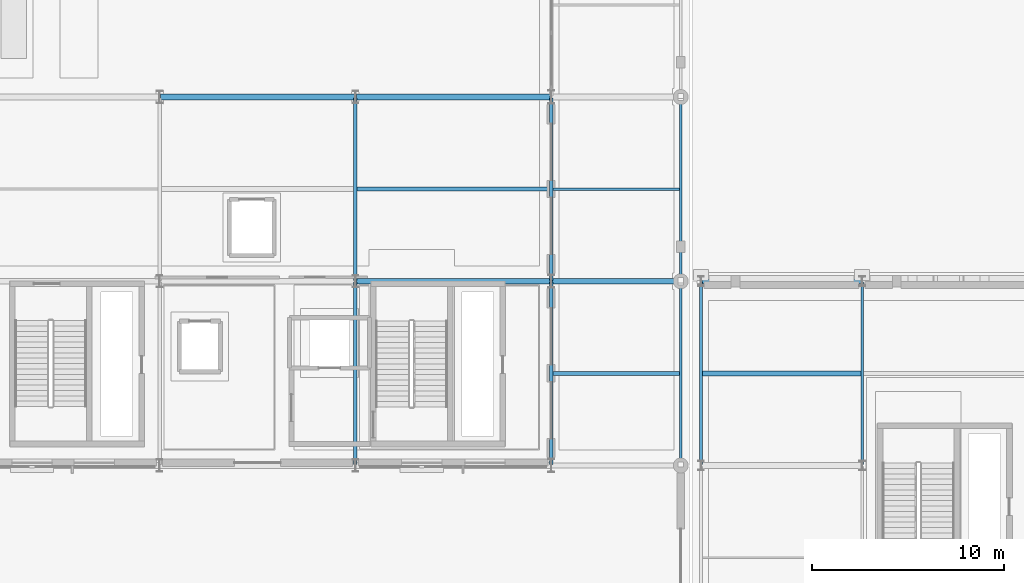
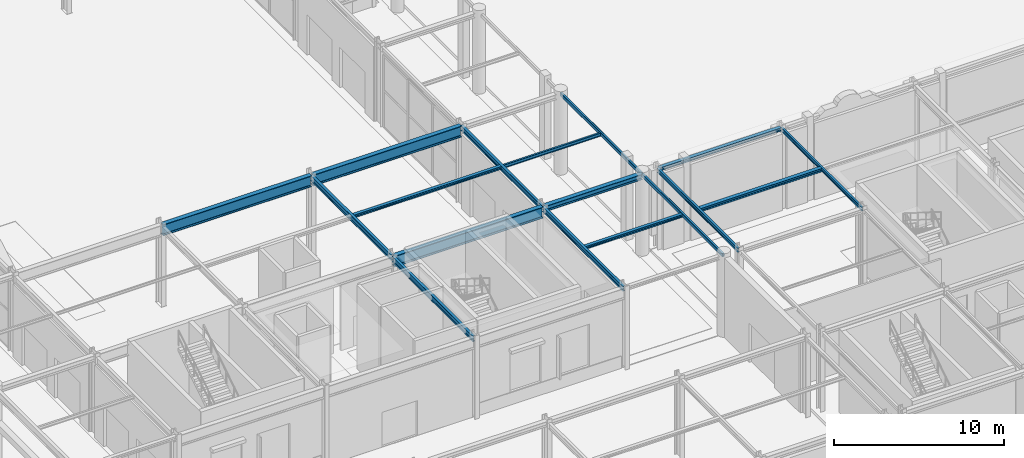
# One storey, part 34 of 113: 17 beams.
"""IFC4 building model written with IfcOpenShell, lengths in metres."""

from ifc_helpers import new_model, si_unit, direction, frame, origin, origin_2d, place, context, subcontext, project, spatial, hollow_rectangle, i_section, extrude, material, material_profile, profile_set, type_object, element, save


model = new_model("IFC4")

# Units and contexts
model_context = context("Model", 3, precision=1e-05, world=origin(), true_north=direction((0.0, 1.0)))
body_context = subcontext(model_context, "Body", "Model", "MODEL_VIEW")
ifc_project = project(units=[si_unit("LENGTHUNIT", "METRE"), si_unit("AREAUNIT", "SQUARE_METRE"), si_unit("VOLUMEUNIT", "CUBIC_METRE"), si_unit("PLANEANGLEUNIT", "RADIAN"), si_unit("MASSUNIT", "GRAM", prefix="KILO")], contexts=[model_context])

# Site, building, storey
site_placement = place(None, origin())
site = spatial("IfcSite", under=ifc_project, at=site_placement, CompositionType="ELEMENT")
building_placement = place(site_placement, origin())
building = spatial("IfcBuilding", under=site, at=building_placement, Name="Myrtia Square Station", CompositionType="ELEMENT")
storey_placement = place(building_placement, origin())
storey = spatial("IfcBuildingStorey", under=building, at=storey_placement, Name="L00", CompositionType="ELEMENT", Elevation=0.0)

# Beams
ifc_material = material(Name="Steel S355", Category="steel")
ifc_material_profile_1 = material_profile(ifc_material, i_section(OverallWidth=0.300048828125, OverallDepth=0.39990234375, WebThickness=0.013427734375, FlangeThickness=0.02392578125, FilletRadius=0.027099609375, at=origin_2d()), Name="HEB 400")
ifc_profile_set_1 = profile_set([ifc_material_profile_1], Name="Steel S355")
beam_type_1 = type_object("IfcBeamType", Name="BM-HEB400", PredefinedType="BEAM", material=ifc_profile_set_1)
beam_1_placement = place(storey_placement, frame((109.85009765625, 38.39990234375, 5.5400390625), z_axis=(1.0, 0.0, 0.0), x_axis=(0.0, 1.0, 0.0)))
element("IfcBeam", 1, at=beam_1_placement, inside=storey, type_object=beam_type_1, Name="Structural girder BMX-L00-0278", PredefinedType="BEAM", context=body_context, shape_type="SweptSolid", body=[
    extrude(i_section(OverallWidth=0.300048828125, OverallDepth=0.39990234375, WebThickness=0.013427734375, FlangeThickness=0.02392578125, FilletRadius=0.027099609375, at=origin_2d()), origin(), (0.0, 0.0, 1.0), 6.64990234375),
])
ifc_material_profile_2 = material_profile(ifc_material, i_section(OverallWidth=0.135009765625, OverallDepth=0.27001953125, WebThickness=0.006591796875, FlangeThickness=0.01025390625, FilletRadius=0.014892578125, at=origin_2d()), Name="IPE 270")
ifc_profile_set_2 = profile_set([ifc_material_profile_2], Name="Steel S355")
beam_type_2 = type_object("IfcBeamType", Name="BM-IPE270", PredefinedType="BEAM", material=ifc_profile_set_2)
beam_2_placement = place(storey_placement, frame((126.0, 28.85009765625, 5.614990234375), z_axis=(0.0, 1.0, 0.0), x_axis=(-1.0, 0.0, 0.0)))
element("IfcBeam", 2, at=beam_2_placement, inside=storey, type_object=beam_type_2, Name="Structural girder BMY-L00-0373", PredefinedType="BEAM", context=body_context, shape_type="SweptSolid", body=[
    extrude(i_section(OverallWidth=0.135009765625, OverallDepth=0.27001953125, WebThickness=0.006591796875, FlangeThickness=0.01025390625, FilletRadius=0.014892578125, at=origin_2d()), origin(), (0.0, 0.0, 1.0), 9.5),
])
ifc_material_profile_3 = material_profile(ifc_material, i_section(OverallWidth=0.14990234375, OverallDepth=0.300048828125, WebThickness=0.007080078125, FlangeThickness=0.0107421875, FilletRadius=0.014892578125, at=origin_2d()), Name="IPE 300")
ifc_profile_set_3 = profile_set([ifc_material_profile_3], Name="Steel S355")
beam_type_3 = type_object("IfcBeamType", Name="BM-IPE300", PredefinedType="BEAM", material=ifc_profile_set_3)
beam_3_placement = place(storey_placement, frame((117.60009765625, 28.85009765625, 5.60009765625), z_axis=(0.0, 1.0, 0.0), x_axis=(-1.0, 0.0, 0.0)))
element("IfcBeam", 3, at=beam_3_placement, inside=storey, type_object=beam_type_3, Name="Structural girder BMY-L00-0369", PredefinedType="BEAM", context=body_context, shape_type="SweptSolid", body=[
    extrude(i_section(OverallWidth=0.14990234375, OverallDepth=0.300048828125, WebThickness=0.007080078125, FlangeThickness=0.0107421875, FilletRadius=0.014892578125, at=origin_2d()), origin(), (0.0, 0.0, 1.0), 9.5),
])
ifc_material_profile_4 = material_profile(ifc_material, i_section(OverallWidth=0.169921875, OverallDepth=0.360107421875, WebThickness=0.008056640625, FlangeThickness=0.0126953125, FilletRadius=0.01806640625, at=origin_2d()), Name="IPE 360")
ifc_profile_set_4 = profile_set([ifc_material_profile_4], Name="Steel S355")
beam_type_4 = type_object("IfcBeamType", Name="BM-IPE360", PredefinedType="BEAM", material=ifc_profile_set_4)
for number, where, z_axis, x_axis, name in (
    (4, (109.800048828125, 28.85009765625, 5.56005859375), (0.0, 1.0, 0.0), (-1.0, 0.0, 0.0), "Structural girder BMY-L00-0311"),
    (5, (109.800048828125, 38.449951171875, 5.56005859375), (0.0, 1.0, 0.0), (-1.0, 0.0, 0.0), "Structural girder BMY-L00-0312"),
):
    element("IfcBeam", number, at=place(storey_placement, frame(where, z_axis=z_axis, x_axis=x_axis)), inside=storey, type_object=beam_type_4, Name=name, PredefinedType="BEAM", context=body_context, shape_type="SweptSolid", body=[
        extrude(i_section(OverallWidth=0.169921875, OverallDepth=0.360107421875, WebThickness=0.008056640625, FlangeThickness=0.0126953125, FilletRadius=0.01806640625, at=origin_2d()), origin(), (0.0, 0.0, 1.0), 9.5),
    ])
ifc_material_profile_5 = material_profile(ifc_material, i_section(OverallWidth=0.179931640625, OverallDepth=0.39990234375, WebThickness=0.008544921875, FlangeThickness=0.013427734375, FilletRadius=0.02099609375, at=origin_2d()), Name="IPE 400")
ifc_profile_set_5 = profile_set([ifc_material_profile_5], Name="Steel S355")
beam_type_5 = type_object("IfcBeamType", Name="BM-IPE400", PredefinedType="BEAM", material=ifc_profile_set_5)
for number, where, z_axis, x_axis, name in (
    (6, (99.60009765625, 28.85009765625, 5.5400390625), (0.0, 1.0, 0.0), (-1.0, 0.0, 0.0), "Structural girder BMY-L00-0307"),
    (7, (99.60009765625, 38.449951171875, 5.5400390625), (0.0, 1.0, 0.0), (-1.0, 0.0, 0.0), "Structural girder BMY-L00-0308"),
):
    element("IfcBeam", number, at=place(storey_placement, frame(where, z_axis=z_axis, x_axis=x_axis)), inside=storey, type_object=beam_type_5, Name=name, PredefinedType="BEAM", context=body_context, shape_type="SweptSolid", body=[
        extrude(i_section(OverallWidth=0.179931640625, OverallDepth=0.39990234375, WebThickness=0.008544921875, FlangeThickness=0.013427734375, FilletRadius=0.02099609375, at=origin_2d()), origin(), (0.0, 0.0, 1.0), 9.5),
    ])
ifc_material_profile_6 = material_profile(ifc_material, i_section(OverallWidth=0.219970703125, OverallDepth=0.2099609375, WebThickness=0.007080078125, FlangeThickness=0.010986328125, FilletRadius=0.01806640625, at=origin_2d()), Name="HEA 220")
ifc_profile_set_6 = profile_set([ifc_material_profile_6], Name="Steel S355")
beam_type_6 = type_object("IfcBeamType", Name="JST-HEA220", PredefinedType="JOIST", material=ifc_profile_set_6)
beam_4_placement = place(storey_placement, frame((99.68994140625, 43.199951171875, 5.635009765625), z_axis=(1.0, 0.0, 0.0), x_axis=(0.0, 1.0, 0.0)))
element("IfcBeam", 8, at=beam_4_placement, inside=storey, type_object=beam_type_6, Name="Composite floor joist L00-0020", PredefinedType="JOIST", context=body_context, shape_type="SweptSolid", body=[
    extrude(i_section(OverallWidth=0.219970703125, OverallDepth=0.2099609375, WebThickness=0.007080078125, FlangeThickness=0.010986328125, FilletRadius=0.01806640625, at=origin_2d()), origin(), (0.0, 0.0, 1.0), 10.025146484375),
])
beam_5_placement = place(storey_placement, frame((109.885009765625, 33.60009765625, 5.635009765625), z_axis=(1.0, 0.0, 0.0), x_axis=(0.0, 1.0, 0.0)))
element("IfcBeam", 9, at=beam_5_placement, inside=storey, type_object=beam_type_6, Name="Composite floor joist L00-0022", PredefinedType="JOIST", context=body_context, shape_type="SweptSolid", body=[
    extrude(i_section(OverallWidth=0.219970703125, OverallDepth=0.2099609375, WebThickness=0.007080078125, FlangeThickness=0.010986328125, FilletRadius=0.01806640625, at=origin_2d()), origin(), (0.0, 0.0, 1.0), 6.590087890625),
])
ifc_material_profile_7 = material_profile(ifc_material, i_section(OverallWidth=0.260009765625, OverallDepth=0.25, WebThickness=0.007568359375, FlangeThickness=0.012451171875, FilletRadius=0.02392578125, at=origin_2d()), Name="HEA 260")
ifc_profile_set_7 = profile_set([ifc_material_profile_7], Name="Steel S355")
beam_type_7 = type_object("IfcBeamType", Name="JST-HEA260", PredefinedType="JOIST", material=ifc_profile_set_7)
beam_6_placement = place(storey_placement, frame((117.675048828125, 33.60009765625, 5.625), z_axis=(1.0, 0.0, 0.0), x_axis=(0.0, 1.0, 0.0)))
element("IfcBeam", 10, at=beam_6_placement, inside=storey, type_object=beam_type_7, Name="Composite floor joist L00-0045", PredefinedType="JOIST", context=body_context, shape_type="SweptSolid", body=[
    extrude(i_section(OverallWidth=0.260009765625, OverallDepth=0.25, WebThickness=0.007568359375, FlangeThickness=0.012451171875, FilletRadius=0.02392578125, at=origin_2d()), origin(), (0.0, 0.0, 1.0), 8.257568359375),
])
ifc_material_profile_8 = material_profile(ifc_material, i_section(OverallWidth=0.1201171875, OverallDepth=0.239990234375, WebThickness=0.006103515625, FlangeThickness=0.009765625, FilletRadius=0.014892578125, at=origin_2d()), Name="IPE 240")
ifc_profile_set_8 = profile_set([ifc_material_profile_8], Name="Steel S355")
beam_type_8 = type_object("IfcBeamType", Name="JST-IPE240", PredefinedType="JOIST", material=ifc_profile_set_8)
beam_7_placement = place(storey_placement, frame((109.885009765625, 43.199951171875, 5.6201171875), z_axis=(1.0, 0.0, 0.0), x_axis=(0.0, 1.0, 0.0)))
element("IfcBeam", 11, at=beam_7_placement, inside=storey, type_object=beam_type_8, Name="Composite floor joist L00-0023", PredefinedType="JOIST", context=body_context, shape_type="SweptSolid", body=[
    extrude(i_section(OverallWidth=0.1201171875, OverallDepth=0.239990234375, WebThickness=0.006103515625, FlangeThickness=0.009765625, FilletRadius=0.014892578125, at=origin_2d()), origin(), (0.0, 0.0, 1.0), 6.590087890625),
])
ifc_material_profile_9 = material_profile(ifc_material, i_section(OverallWidth=0.239990234375, OverallDepth=0.239990234375, WebThickness=0.010009765625, FlangeThickness=0.01708984375, FilletRadius=0.02099609375, at=origin_2d()), Name="HEB 240")
ifc_profile_set_9 = profile_set([ifc_material_profile_9], Name="Steel S355")
beam_type_9 = type_object("IfcBeamType", Name="SPN-HEB240", PredefinedType="SPANDREL", material=ifc_profile_set_9)
beam_8_placement = place(storey_placement, frame((117.64990234375, 38.39990234375, 5.6298828125), z_axis=(1.0, 0.0, 0.0), x_axis=(0.0, 1.0, 0.0)))
element("IfcBeam", 12, at=beam_8_placement, inside=storey, type_object=beam_type_9, Name="Structural girder SPN-L00-0106", PredefinedType="SPANDREL", context=body_context, shape_type="SweptSolid", body=[
    extrude(i_section(OverallWidth=0.239990234375, OverallDepth=0.239990234375, WebThickness=0.010009765625, FlangeThickness=0.01708984375, FilletRadius=0.02099609375, at=origin_2d()), origin(), (0.0, 0.0, 1.0), 8.300048828125),
])
ifc_material_profile_10 = material_profile(ifc_material, hollow_rectangle(XDim=0.14990234375, YDim=0.25, WallThickness=0.012451171875, InnerFilletRadius=0.012451171875, OuterFilletRadius=0.02490234375, at=origin_2d()), Name="RHS 250x150x12.5")
ifc_profile_set_10 = profile_set([ifc_material_profile_10], Name="Steel S355")
beam_type_10 = type_object("IfcBeamType", Name="SPN-RHS250", PredefinedType="SPANDREL", material=ifc_profile_set_10)
for number, where, z_axis, x_axis, name in (
    (13, (116.550048828125, 28.85009765625, 5.614990234375), (0.0, 1.0, 0.0), (-1.0, 0.0, 0.0), "Structural girder SPNY-L00-0080"),
    (14, (116.550048828125, 38.449951171875, 5.614990234375), (0.0, 1.0, 0.0), (-1.0, 0.0, 0.0), "Structural girder SPNY-L00-0081"),
):
    element("IfcBeam", number, at=place(storey_placement, frame(where, z_axis=z_axis, x_axis=x_axis)), inside=storey, type_object=beam_type_10, Name=name, PredefinedType="SPANDREL", context=body_context, shape_type="SweptSolid", body=[
        extrude(hollow_rectangle(XDim=0.14990234375, YDim=0.25, WallThickness=0.012451171875, InnerFilletRadius=0.012451171875, OuterFilletRadius=0.02490234375, at=origin_2d()), origin(), (0.0, 0.0, 1.0), 9.5),
    ])
ifc_material_profile_11 = material_profile(ifc_material, i_section(OverallWidth=0.300048828125, OverallDepth=0.800048828125, WebThickness=0.017578125, FlangeThickness=0.032958984375, FilletRadius=0.030029296875, at=origin_2d()), Name="HEB 800")
ifc_profile_set_11 = profile_set([ifc_material_profile_11], Name="Steel S355")
beam_type_11 = type_object("IfcBeamType", Name="TG-HEB800", PredefinedType="USERDEFINED", material=ifc_profile_set_11)
for number, where, z_axis, x_axis, name in (
    (15, (99.64990234375, 38.39990234375, 5.340087890625), (1.0, 0.0, 0.0), (0.0, 1.0, 0.0), "Structural girder TG-L00-0085"),
    (16, (89.449951171875, 48.0, 5.340087890625), (1.0, 0.0, 0.0), (0.0, 1.0, 0.0), "Structural girder TG-L00-0087"),
    (17, (99.64990234375, 48.0, 5.340087890625), (1.0, 0.0, 0.0), (0.0, 1.0, 0.0), "Structural girder TG-L00-0088"),
):
    element("IfcBeam", number, at=place(storey_placement, frame(where, z_axis=z_axis, x_axis=x_axis)), inside=storey, type_object=beam_type_11, Name=name, ObjectType="TRANSFER GIRDER", PredefinedType="USERDEFINED", context=body_context, shape_type="SweptSolid", body=[
        extrude(i_section(OverallWidth=0.300048828125, OverallDepth=0.800048828125, WebThickness=0.017578125, FlangeThickness=0.032958984375, FilletRadius=0.030029296875, at=origin_2d()), origin(), (0.0, 0.0, 1.0), 10.10009765625),
    ])

save(model, "model.ifc")
